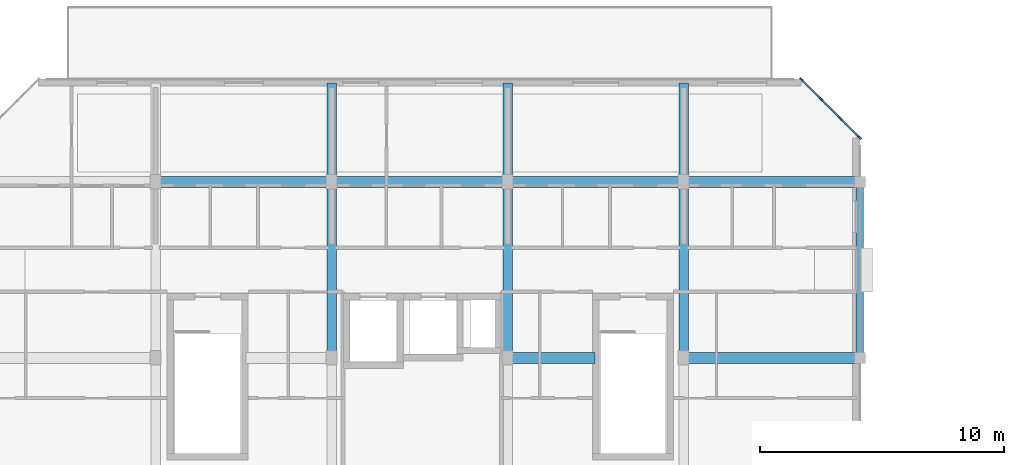
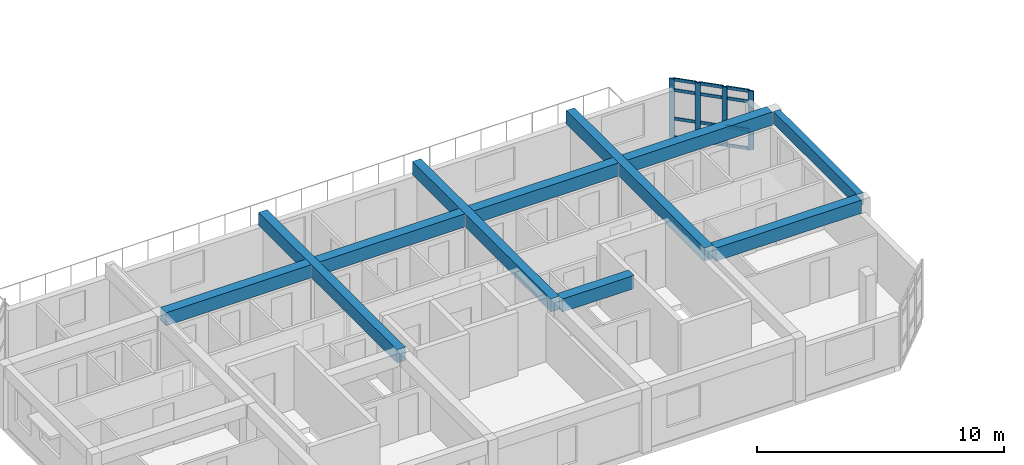
# One storey, part 4 of 30: 16 members, 10 beams, 1 element without a shape of its own.
"""IFC4 building model written with IfcOpenShell, lengths in metres."""

from ifc_helpers import new_model, si_unit, direction, frame, origin, origin_2d, place, context, subcontext, project, spatial, rectangle, extrude, material, layer, layer_set, material_profile, profile_set, type_object, element, aggregate, save


model = new_model("IFC4")

# Units and contexts
model_context = context("Model", 3, precision=1e-05, world=origin(), true_north=direction((0.0, 1.0)))
body_context = subcontext(model_context, "Body", "Model", "MODEL_VIEW")
ifc_project = project(units=[si_unit("LENGTHUNIT", "METRE"), si_unit("AREAUNIT", "SQUARE_METRE"), si_unit("VOLUMEUNIT", "CUBIC_METRE"), si_unit("PLANEANGLEUNIT", "RADIAN"), si_unit("MASSUNIT", "GRAM", prefix="KILO")], contexts=[model_context])

# Site, building, storey
site_placement = place(None, origin())
site = spatial("IfcSite", under=ifc_project, at=site_placement, CompositionType="ELEMENT")
building_placement = place(site_placement, origin())
building = spatial("IfcBuilding", under=site, at=building_placement, Name="Ochrevale Crest", CompositionType="ELEMENT")
storey_placement = place(building_placement, frame((0.0, 0.0, 33.89990234375)))
storey = spatial("IfcBuildingStorey", under=building, at=storey_placement, Name="L10", CompositionType="ELEMENT", Elevation=33.89990234375)

# Beams
ifc_material_1 = material(Name="Precast concrete C50/60", Category="concrete")
ifc_material_profile_1 = material_profile(ifc_material_1, rectangle(XDim=0.39990234375, YDim=0.64990234375, at=origin_2d()), Name="PC 400x650")
ifc_profile_set_1 = profile_set([ifc_material_profile_1], Name="Precast concrete C50/60")
beam_type_1 = type_object("IfcBeamType", Name="BM-PC400x650", PredefinedType="BEAM", material=ifc_profile_set_1)
for number, where, z_axis, x_axis, name in (
    (1, (14.39990234375, 79.219970703125, 2.8251953125), (0.0, 1.0, 0.0), (-1.0, 0.0, 0.0), "Block B L10 N-S beam X=14.4"),
    (2, (21.60009765625, 79.219970703125, 2.8251953125), (0.0, 1.0, 0.0), (-1.0, 0.0, 0.0), "Block B L10 N-S beam X=21.6"),
    (3, (28.800048828125, 79.219970703125, 2.8251953125), (0.0, 1.0, 0.0), (-1.0, 0.0, 0.0), "Block B L10 N-S beam X=28.8"),
):
    element("IfcBeam", number, at=place(storey_placement, frame(where, z_axis=z_axis, x_axis=x_axis)), inside=storey, type_object=beam_type_1, Name=name, PredefinedType="BEAM", context=body_context, shape_type="SweptSolid", body=[
        extrude(rectangle(XDim=0.39990234375, YDim=0.64990234375, at=origin_2d()), origin(), (0.0, 0.0, 1.0), 11.22998046875),
    ])
ifc_material_2 = material(Name="Concrete C50/60", Category="concrete")
ifc_material_profile_2 = material_profile(ifc_material_2, rectangle(XDim=0.449951171875, YDim=0.64990234375, at=origin_2d()), Name="RC 450x650")
ifc_profile_set_2 = profile_set([ifc_material_profile_2], Name="Concrete C50/60")
beam_type_2 = type_object("IfcBeamType", Name="BM-PG450x650", PredefinedType="USERDEFINED", material=ifc_profile_set_2)
beam_1_placement = place(storey_placement, frame((21.800048828125, 79.199951171875, 2.8251953125), z_axis=(1.0, 0.0, 0.0), x_axis=(0.0, 1.0, 0.0)))
element("IfcBeam", 4, at=beam_1_placement, inside=storey, type_object=beam_type_2, Name="Block B L10 E-W beam Y=79.2", ObjectType="GIRDER", PredefinedType="USERDEFINED", context=body_context, shape_type="SweptSolid", body=[
    extrude(rectangle(XDim=0.449951171875, YDim=0.64990234375, at=origin_2d()), origin(), (0.0, 0.0, 1.0), 3.35986328125),
])
for number, where, z_axis, x_axis, name in (
    (5, (29.0, 79.199951171875, 2.8251953125), (1.0, 0.0, 0.0), (0.0, 1.0, 0.0), "Block B L10 E-W beam Y=79.2"),
    (6, (7.39990234375, 86.39990234375, 2.8251953125), (1.0, 0.0, 0.0), (0.0, 1.0, 0.0), "Block B L10 E-W beam Y=86.4"),
):
    element("IfcBeam", number, at=place(storey_placement, frame(where, z_axis=z_axis, x_axis=x_axis)), inside=storey, type_object=beam_type_2, Name=name, ObjectType="GIRDER", PredefinedType="USERDEFINED", context=body_context, shape_type="SweptSolid", body=[
        extrude(rectangle(XDim=0.449951171875, YDim=0.64990234375, at=origin_2d()), origin(), (0.0, 0.0, 1.0), 6.800048828125),
    ])
beam_2_placement = place(storey_placement, frame((14.60009765625, 86.39990234375, 2.8251953125), z_axis=(1.0, 0.0, 0.0), x_axis=(0.0, 1.0, 0.0)))
element("IfcBeam", 7, at=beam_2_placement, inside=storey, type_object=beam_type_2, Name="Block B L10 E-W beam Y=86.4", ObjectType="GIRDER", PredefinedType="USERDEFINED", context=body_context, shape_type="SweptSolid", body=[
    extrude(rectangle(XDim=0.449951171875, YDim=0.64990234375, at=origin_2d()), origin(), (0.0, 0.0, 1.0), 6.7998046875),
])
for number, where, z_axis, x_axis, name in (
    (8, (21.800048828125, 86.39990234375, 2.8251953125), (1.0, 0.0, 0.0), (0.0, 1.0, 0.0), "Block B L10 E-W beam Y=86.4"),
    (9, (29.0, 86.39990234375, 2.8251953125), (1.0, 0.0, 0.0), (0.0, 1.0, 0.0), "Block B L10 E-W beam Y=86.4"),
):
    element("IfcBeam", number, at=place(storey_placement, frame(where, z_axis=z_axis, x_axis=x_axis)), inside=storey, type_object=beam_type_2, Name=name, ObjectType="GIRDER", PredefinedType="USERDEFINED", context=body_context, shape_type="SweptSolid", body=[
        extrude(rectangle(XDim=0.449951171875, YDim=0.64990234375, at=origin_2d()), origin(), (0.0, 0.0, 1.0), 6.800048828125),
    ])
ifc_material_3 = material(Name="Precast concrete C40/50", Category="concrete")
ifc_material_profile_3 = material_profile(ifc_material_3, rectangle(XDim=0.300048828125, YDim=0.60009765625, at=origin_2d()), Name="PC 300x600")
ifc_profile_set_3 = profile_set([ifc_material_profile_3], Name="Precast concrete C40/50")
beam_type_3 = type_object("IfcBeamType", Name="BM-SP300x600", PredefinedType="SPANDREL", material=ifc_profile_set_3)
beam_3_placement = place(storey_placement, frame((36.0, 79.405029296875, 2.85009765625), z_axis=(0.0, 1.0, 0.0), x_axis=(-1.0, 0.0, 0.0)))
element("IfcBeam", 10, at=beam_3_placement, inside=storey, type_object=beam_type_3, Name="Block B L10 N-S beam X=36.0", PredefinedType="SPANDREL", context=body_context, shape_type="SweptSolid", body=[
    extrude(rectangle(XDim=0.300048828125, YDim=0.60009765625, at=origin_2d()), origin(), (0.0, 0.0, 1.0), 6.7900390625),
])

# Curtain wall, members
ifc_material_4 = material(Name="Anodised aluminium 6063-T5", Category="aluminium")
ifc_layer = layer(ifc_material_4, 0.14990234375)
ifc_layer_set = layer_set([ifc_layer], Name="Anodised aluminium 6063-T5")
curtain_wall_type = type_object("IfcCurtainWallType", Name="CW-WG-420x285", PredefinedType="NOTDEFINED", material=ifc_layer_set)
curtain_wall_placement = place(storey_placement, origin())
curtain_wall = element("IfcCurtainWall", 11, at=curtain_wall_placement, inside=storey, type_object=curtain_wall_type, Name="Block B L10 chamfered corner wintergarden curtain wall 4", PredefinedType="NOTDEFINED")
ifc_material_profile_4 = material_profile(ifc_material_4, rectangle(XDim=0.074951171875, YDim=0.219970703125, at=origin_2d()), Name="ALU 75x220")
ifc_profile_set_4 = profile_set([ifc_material_profile_4], Name="Anodised aluminium 6063-T5")
member_type_1 = type_object("IfcMemberType", Name="CW-MUL-75x220", PredefinedType="MULLION", material=ifc_profile_set_4)
member_1_placement = place(storey_placement, frame((35.973388671875, 88.2265625, 0.0), z_axis=(0.0, 0.0, 1.0), x_axis=(-0.707106781187, -0.707106781187, 0.0)))
member_1 = element("IfcMember", 12, at=member_1_placement, type_object=member_type_1, Name="CW22 mullion 1", PredefinedType="MULLION", context=body_context, shape_type="SweptSolid", body=[
    extrude(rectangle(XDim=0.074951171875, YDim=0.219970703125, at=origin_2d()), origin(), (0.0, 0.0, 1.0), 2.91015625),
])
member_2_placement = place(storey_placement, frame((35.199951171875, 89.0, 0.0), z_axis=(0.0, 0.0, 1.0), x_axis=(-0.707106781187, -0.707106781187, 0.0)))
member_2 = element("IfcMember", 13, at=member_2_placement, type_object=member_type_1, Name="CW22 mullion 2", PredefinedType="MULLION", context=body_context, shape_type="SweptSolid", body=[
    extrude(rectangle(XDim=0.074951171875, YDim=0.219970703125, at=origin_2d()), origin(), (0.0, 0.0, 1.0), 2.91015625),
])
member_3_placement = place(storey_placement, frame((34.39990234375, 89.800048828125, 0.0), z_axis=(0.0, 0.0, 1.0), x_axis=(-0.707106781187, -0.707106781187, 0.0)))
member_3 = element("IfcMember", 14, at=member_3_placement, type_object=member_type_1, Name="CW22 mullion 3", PredefinedType="MULLION", context=body_context, shape_type="SweptSolid", body=[
    extrude(rectangle(XDim=0.074951171875, YDim=0.219970703125, at=origin_2d()), origin(), (0.0, 0.0, 1.0), 2.91015625),
])
member_4_placement = place(storey_placement, frame((33.62646484375, 90.573486328125, 0.0), z_axis=(0.0, 0.0, 1.0), x_axis=(-0.707106781187, -0.707106781187, 0.0)))
member_4 = element("IfcMember", 15, at=member_4_placement, type_object=member_type_1, Name="CW22 mullion 4", PredefinedType="MULLION", context=body_context, shape_type="SweptSolid", body=[
    extrude(rectangle(XDim=0.074951171875, YDim=0.219970703125, at=origin_2d()), origin(), (0.0, 0.0, 1.0), 2.91015625),
])
ifc_material_profile_5 = material_profile(ifc_material_4, rectangle(XDim=0.06005859375, YDim=0.14990234375, at=origin_2d()), Name="ALU 60x150")
ifc_profile_set_5 = profile_set([ifc_material_profile_5], Name="Anodised aluminium 6063-T5")
member_type_2 = type_object("IfcMemberType", Name="CW-TRN-60x150", PredefinedType="USERDEFINED", material=ifc_profile_set_5)
member_5_placement = place(storey_placement, frame((35.947021484375, 88.2529296875, 0.030029296875), z_axis=(-0.707106781187, 0.707106781187, 0.0), x_axis=(-0.707106781187, -0.707106781187, 0.0)))
member_5 = element("IfcMember", 16, at=member_5_placement, type_object=member_type_2, Name="CW22 transom 1.1", ObjectType="TRANSOM", PredefinedType="USERDEFINED", context=body_context, shape_type="SweptSolid", body=[
    extrude(rectangle(XDim=0.06005859375, YDim=0.14990234375, at=origin_2d()), origin(), (0.0, 0.0, 1.0), 1.018798828125),
])
member_6_placement = place(storey_placement, frame((35.947021484375, 88.2529296875, 0.9501953125), z_axis=(-0.707106781187, 0.707106781187, 0.0), x_axis=(-0.707106781187, -0.707106781187, 0.0)))
member_6 = element("IfcMember", 17, at=member_6_placement, type_object=member_type_2, Name="CW22 transom 1.2", ObjectType="TRANSOM", PredefinedType="USERDEFINED", context=body_context, shape_type="SweptSolid", body=[
    extrude(rectangle(XDim=0.06005859375, YDim=0.14990234375, at=origin_2d()), origin(), (0.0, 0.0, 1.0), 1.018798828125),
])
member_7_placement = place(storey_placement, frame((35.947021484375, 88.2529296875, 2.360107421875), z_axis=(-0.707106781187, 0.707106781187, 0.0), x_axis=(-0.707106781187, -0.707106781187, 0.0)))
member_7 = element("IfcMember", 18, at=member_7_placement, type_object=member_type_2, Name="CW22 transom 1.3", ObjectType="TRANSOM", PredefinedType="USERDEFINED", context=body_context, shape_type="SweptSolid", body=[
    extrude(rectangle(XDim=0.06005859375, YDim=0.14990234375, at=origin_2d()), origin(), (0.0, 0.0, 1.0), 1.018798828125),
])
member_8_placement = place(storey_placement, frame((35.947021484375, 88.2529296875, 2.880126953125), z_axis=(-0.707106781187, 0.707106781187, 0.0), x_axis=(-0.707106781187, -0.707106781187, 0.0)))
member_8 = element("IfcMember", 19, at=member_8_placement, type_object=member_type_2, Name="CW22 transom 1.4", ObjectType="TRANSOM", PredefinedType="USERDEFINED", context=body_context, shape_type="SweptSolid", body=[
    extrude(rectangle(XDim=0.06005859375, YDim=0.14990234375, at=origin_2d()), origin(), (0.0, 0.0, 1.0), 1.018798828125),
])
member_9_placement = place(storey_placement, frame((35.173583984375, 89.026611328125, 0.030029296875), z_axis=(-0.707222330948, 0.706991212539, 0.0), x_axis=(-0.706991212539, -0.707222330948, 0.0)))
member_9 = element("IfcMember", 20, at=member_9_placement, type_object=member_type_2, Name="CW22 transom 2.1", ObjectType="TRANSOM", PredefinedType="USERDEFINED", context=body_context, shape_type="SweptSolid", body=[
    extrude(rectangle(XDim=0.06005859375, YDim=0.14990234375, at=origin_2d()), origin(), (0.0, 0.0, 1.0), 1.056396484375),
])
member_10_placement = place(storey_placement, frame((35.173583984375, 89.026611328125, 0.9501953125), z_axis=(-0.707222330948, 0.706991212539, 0.0), x_axis=(-0.706991212539, -0.707222330948, 0.0)))
member_10 = element("IfcMember", 21, at=member_10_placement, type_object=member_type_2, Name="CW22 transom 2.2", ObjectType="TRANSOM", PredefinedType="USERDEFINED", context=body_context, shape_type="SweptSolid", body=[
    extrude(rectangle(XDim=0.06005859375, YDim=0.14990234375, at=origin_2d()), origin(), (0.0, 0.0, 1.0), 1.056396484375),
])
member_11_placement = place(storey_placement, frame((35.173583984375, 89.026611328125, 2.360107421875), z_axis=(-0.707222330948, 0.706991212539, 0.0), x_axis=(-0.706991212539, -0.707222330948, 0.0)))
member_11 = element("IfcMember", 22, at=member_11_placement, type_object=member_type_2, Name="CW22 transom 2.3", ObjectType="TRANSOM", PredefinedType="USERDEFINED", context=body_context, shape_type="SweptSolid", body=[
    extrude(rectangle(XDim=0.06005859375, YDim=0.14990234375, at=origin_2d()), origin(), (0.0, 0.0, 1.0), 1.056396484375),
])
member_12_placement = place(storey_placement, frame((35.173583984375, 89.026611328125, 2.880126953125), z_axis=(-0.707222330948, 0.706991212539, 0.0), x_axis=(-0.706991212539, -0.707222330948, 0.0)))
member_12 = element("IfcMember", 23, at=member_12_placement, type_object=member_type_2, Name="CW22 transom 2.4", ObjectType="TRANSOM", PredefinedType="USERDEFINED", context=body_context, shape_type="SweptSolid", body=[
    extrude(rectangle(XDim=0.06005859375, YDim=0.14990234375, at=origin_2d()), origin(), (0.0, 0.0, 1.0), 1.056396484375),
])
member_13_placement = place(storey_placement, frame((34.37353515625, 89.826416015625, 0.030029296875), z_axis=(-0.707106781187, 0.707106781187, 0.0), x_axis=(-0.707106781187, -0.707106781187, 0.0)))
member_13 = element("IfcMember", 24, at=member_13_placement, type_object=member_type_2, Name="CW22 transom 3.1", ObjectType="TRANSOM", PredefinedType="USERDEFINED", context=body_context, shape_type="SweptSolid", body=[
    extrude(rectangle(XDim=0.06005859375, YDim=0.14990234375, at=origin_2d()), origin(), (0.0, 0.0, 1.0), 1.018798828125),
])
member_14_placement = place(storey_placement, frame((34.37353515625, 89.826416015625, 0.9501953125), z_axis=(-0.707106781187, 0.707106781187, 0.0), x_axis=(-0.707106781187, -0.707106781187, 0.0)))
member_14 = element("IfcMember", 25, at=member_14_placement, type_object=member_type_2, Name="CW22 transom 3.2", ObjectType="TRANSOM", PredefinedType="USERDEFINED", context=body_context, shape_type="SweptSolid", body=[
    extrude(rectangle(XDim=0.06005859375, YDim=0.14990234375, at=origin_2d()), origin(), (0.0, 0.0, 1.0), 1.018798828125),
])
member_15_placement = place(storey_placement, frame((34.37353515625, 89.826416015625, 2.360107421875), z_axis=(-0.707106781187, 0.707106781187, 0.0), x_axis=(-0.707106781187, -0.707106781187, 0.0)))
member_15 = element("IfcMember", 26, at=member_15_placement, type_object=member_type_2, Name="CW22 transom 3.3", ObjectType="TRANSOM", PredefinedType="USERDEFINED", context=body_context, shape_type="SweptSolid", body=[
    extrude(rectangle(XDim=0.06005859375, YDim=0.14990234375, at=origin_2d()), origin(), (0.0, 0.0, 1.0), 1.018798828125),
])
member_16_placement = place(storey_placement, frame((34.37353515625, 89.826416015625, 2.880126953125), z_axis=(-0.707106781187, 0.707106781187, 0.0), x_axis=(-0.707106781187, -0.707106781187, 0.0)))
member_16 = element("IfcMember", 27, at=member_16_placement, type_object=member_type_2, Name="CW22 transom 3.4", ObjectType="TRANSOM", PredefinedType="USERDEFINED", context=body_context, shape_type="SweptSolid", body=[
    extrude(rectangle(XDim=0.06005859375, YDim=0.14990234375, at=origin_2d()), origin(), (0.0, 0.0, 1.0), 1.018798828125),
])
aggregate(curtain_wall, [member_1, member_2, member_3, member_4, member_5, member_6, member_7, member_8, member_9, member_10, member_11, member_12, member_13, member_14, member_15, member_16])

save(model, "model.ifc")
